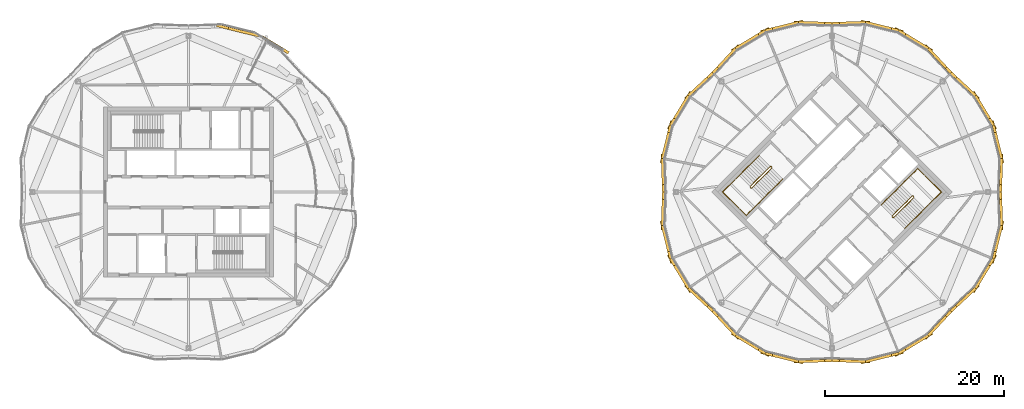
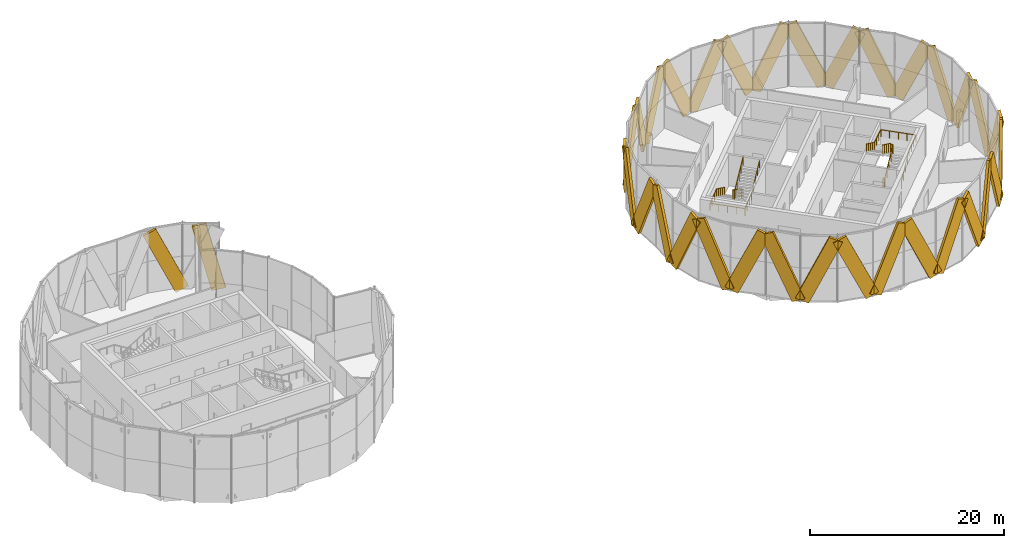
# One storey, part 23 of 24: 34 coverings, 4 railings.
"""IFC4 building model written with IfcOpenShell, lengths in metres."""

import ifcopenshell
import ifcopenshell.guid

model = None  # the IFC model being written
_history = None  # IfcOwnerHistory: only IFC2X3 demands one
_inside = {}  # id of a spatial element -> (the spatial element, [elements in it])
_under = {}  # id of a project, library or spatial element -> (it, [spatial elements below it])
_declared = {}  # id of a project -> (the project, [libraries it declares])
_typed = {}  # id of a type object -> (the type object, [elements of that type])
_made_of = {}  # id of a material, layer set ... -> (it, [elements and type objects made of it])


def new_model(schema):
    """Start an empty IFC model of exactly this schema.

    Asked for "IFC4X3", IfcOpenShell would pick the latest addendum, in which some entities
    have other attributes; the version numbers below select the first issue.
    IFC2X3 requires an IfcOwnerHistory on every rooted entity: one is made here for all.
    """
    global model, _history
    if schema == "IFC4X3":
        model = ifcopenshell.file(schema_version=(4, 3, 0, 0))
    else:
        model = ifcopenshell.file(schema=schema)
    _inside.clear()
    _under.clear()
    _declared.clear()
    _typed.clear()
    _made_of.clear()
    _history = None
    if model.schema == "IFC2X3":
        org = make("IfcOrganization", Name="unknown")
        user = make(
            "IfcPersonAndOrganization",
            ThePerson=make("IfcPerson", FamilyName="unknown"),
            TheOrganization=org,
        )
        app = make(
            "IfcApplication",
            ApplicationDeveloper=org,
            Version="unknown",
            ApplicationFullName="unknown",
            ApplicationIdentifier="unknown",
        )
        _history = make(
            "IfcOwnerHistory",
            OwningUser=user,
            OwningApplication=app,
            ChangeAction="ADDED",
            CreationDate=0,
        )
    return model


def make(cls, **values):
    """One entity of the class cls with the attributes given. An attribute that is None is left unset."""
    return model.create_entity(
        cls, **{name: value for name, value in values.items() if value is not None}
    )


def rooted(cls, **values):
    """An entity with a GlobalId (a new one), such as an element, a storey or a relation."""
    return make(cls, GlobalId=ifcopenshell.guid.new(), OwnerHistory=_history, **values)


def si_unit(unit_type, name, prefix=None):
    """IfcSIUnit, for example si_unit("LENGTHUNIT", "METRE", prefix="MILLI")."""
    return make("IfcSIUnit", UnitType=unit_type, Prefix=prefix, Name=name)


def assignment(units):
    """IfcUnitAssignment: the units of a project."""
    return None if units is None else make("IfcUnitAssignment", Units=units)


def point(xyz):
    """IfcCartesianPoint."""
    return None if xyz is None else make("IfcCartesianPoint", Coordinates=xyz)


def direction(xyz):
    """IfcDirection."""
    return None if xyz is None else make("IfcDirection", DirectionRatios=xyz)


def frame(location, z_axis=None, x_axis=None):
    """IfcAxis2Placement3D, a coordinate frame: its origin and axes. An axis left out is left unset."""
    return make(
        "IfcAxis2Placement3D",
        Location=point(location),
        Axis=direction(z_axis),
        RefDirection=direction(x_axis),
    )


def frame_2d(location, x_axis=None):
    """IfcAxis2Placement2D, a coordinate frame in the plane: its origin and x axis."""
    return make(
        "IfcAxis2Placement2D", Location=point(location), RefDirection=direction(x_axis)
    )


def origin():
    """The frame at (0, 0, 0) with its axes left unset."""
    return frame((0.0, 0.0, 0.0))


def origin_2d():
    """The frame at (0, 0) in the plane with its x axis left unset."""
    return frame_2d((0.0, 0.0))


def place(relative_to, where):
    """IfcLocalPlacement: puts the frame where relative to a parent placement (None: the world)."""
    return make(
        "IfcLocalPlacement", PlacementRelTo=relative_to, RelativePlacement=where
    )


def context(
    kind, dimensions, precision=None, world=None, true_north=None, identifier=None
):
    """IfcGeometricRepresentationContext, for example the 3D "Model" context."""
    return make(
        "IfcGeometricRepresentationContext",
        ContextIdentifier=identifier,
        ContextType=kind,
        CoordinateSpaceDimension=dimensions,
        Precision=precision,
        WorldCoordinateSystem=world,
        TrueNorth=true_north,
    )


def subcontext(parent, identifier, kind, view, scale=None):
    """IfcGeometricRepresentationSubContext, for example "Body" below "Model"."""
    return make(
        "IfcGeometricRepresentationSubContext",
        ContextIdentifier=identifier,
        ContextType=kind,
        ParentContext=parent,
        TargetScale=scale,
        TargetView=view,
    )


def project(units=None, contexts=None):
    """IfcProject with its units and contexts."""
    return rooted(
        "IfcProject",
        Name="project",
        RepresentationContexts=contexts,
        UnitsInContext=assignment(units),
    )


def spatial(cls, under=None, at=None, **own):
    """A site, building, storey or space (cls), placed at a placement, below another one or the project."""
    s = rooted(cls, ObjectPlacement=at, **own)
    if under is not None:
        _under.setdefault(under.id(), (under, []))[1].append(s)
    return s


def profile(cls, at=None, kind="AREA", **sizes):
    """A parametric profile (cls). Its sizes go by their IFC names, for example OverallWidth=200.0."""
    return make(cls, ProfileType=kind, Position=at, **sizes)


def rectangle(**sizes):
    """IfcRectangleProfileDef."""
    return profile("IfcRectangleProfileDef", **sizes)


def circle(**sizes):
    """IfcCircleProfileDef."""
    return profile("IfcCircleProfileDef", **sizes)


def extrude(swept, where, along, depth):
    """IfcExtrudedAreaSolid: the profile swept, set in the frame where, extruded along a direction by depth."""
    return make(
        "IfcExtrudedAreaSolid",
        SweptArea=swept,
        Position=where,
        ExtrudedDirection=direction(along),
        Depth=depth,
    )


def shape(context_of_items, identifier, shape_type, items):
    """IfcShapeRepresentation: the items that make up one representation, for example the "Body"."""
    return make(
        "IfcShapeRepresentation",
        ContextOfItems=context_of_items,
        RepresentationIdentifier=identifier,
        RepresentationType=shape_type,
        Items=items,
    )


def material(Name=None, Category=None):
    """IfcMaterial."""
    return make("IfcMaterial", Name=Name, Category=Category)


def material_profile(
    of_material, cross_section, Name=None, Category=None, Priority=None
):
    """IfcMaterialProfile: a cross section and its material."""
    return make(
        "IfcMaterialProfile",
        Name=Name,
        Material=of_material,
        Profile=cross_section,
        Priority=Priority,
        Category=Category,
    )


def profile_set(profiles, Name=None, composite=None):
    """IfcMaterialProfileSet."""
    return make(
        "IfcMaterialProfileSet",
        Name=Name,
        MaterialProfiles=profiles,
        CompositeProfile=composite,
    )


def made_of(thing, what):
    """Note that an element or type object is made of a material, layer set ...; save() writes the relation."""
    if what is not None:
        _made_of.setdefault(what.id(), (what, []))[1].append(thing)
    return thing


def type_object(cls, material=None, **own):
    """A type object (cls), such as IfcWallType, which elements share."""
    return made_of(rooted(cls, **own), material)


def element(
    cls,
    number,
    at=None,
    inside=None,
    cuts=None,
    type_object=None,
    material=None,
    context=None,
    identifier="Body",
    shape_type=None,
    held_by="IfcProductDefinitionShape",
    body=None,
    shapes=None,
    **own,
):
    """One element of the class cls, such as IfcWall. Its Tag is "e" and its number.

    at: its placement. inside: the storey or other place that contains it. cuts: it is an
    opening in that element (IfcRelVoidsElement). A single representation is given by context,
    identifier, shape_type and body (its items); several are given by shapes. held_by: the class
    of the entity that holds the representations. save() writes the other relations.
    """
    e = rooted(cls, Tag="e%d" % number, ObjectPlacement=at, **own)
    if body is not None:
        shapes = [shape(context, identifier, shape_type, body)]
    if shapes is not None:
        e.Representation = make(held_by, Representations=shapes)
    if inside is not None:
        _inside.setdefault(inside.id(), (inside, []))[1].append(e)
    if cuts is not None:
        rooted(
            "IfcRelVoidsElement", RelatingBuildingElement=cuts, RelatedOpeningElement=e
        )
    if type_object is not None:
        _typed.setdefault(type_object.id(), (type_object, []))[1].append(e)
    return made_of(e, material)


def aggregate(whole, parts):
    """IfcRelAggregates: a whole, such as a stair, and the parts it consists of."""
    return rooted("IfcRelAggregates", RelatingObject=whole, RelatedObjects=parts)


def save(model, path):
    """Write the relations noted so far, then the file.

    IfcRelAggregates (storeys below a building ...), IfcRelContainedInSpatialStructure (elements
    in a storey), IfcRelDefinesByType, IfcRelAssociatesMaterial and IfcRelDeclares: one each for
    every whole, place, type object, material and project.
    """
    for whole, parts in _under.values():
        aggregate(whole, parts)
    for where, things in _inside.values():
        rooted(
            "IfcRelContainedInSpatialStructure",
            RelatedElements=things,
            RelatingStructure=where,
        )
    for kind, things in _typed.values():
        rooted("IfcRelDefinesByType", RelatedObjects=things, RelatingType=kind)
    for what, things in _made_of.values():
        rooted("IfcRelAssociatesMaterial", RelatedObjects=things, RelatingMaterial=what)
    for by, libraries in _declared.values():
        rooted("IfcRelDeclares", RelatingContext=by, RelatedDefinitions=libraries)
    model.write(path)


model = new_model("IFC4")

# Units and contexts
model_context = context("Model", 3, precision=1e-05, world=origin(), true_north=direction((0.0, 1.0)))
body_context = subcontext(model_context, "Body", "Model", "MODEL_VIEW")
ifc_project = project(units=[si_unit("LENGTHUNIT", "METRE"), si_unit("AREAUNIT", "SQUARE_METRE"), si_unit("VOLUMEUNIT", "CUBIC_METRE"), si_unit("PLANEANGLEUNIT", "RADIAN"), si_unit("MASSUNIT", "GRAM", prefix="KILO")], contexts=[model_context])

# Site, building, storey
site_placement = place(None, origin())
site = spatial("IfcSite", under=ifc_project, at=site_placement, CompositionType="ELEMENT")
building_placement = place(site_placement, origin())
building = spatial("IfcBuilding", under=site, at=building_placement, Name="Ogive Gate Towers", CompositionType="ELEMENT")
storey_placement = place(building_placement, frame((0.0, 0.0, 277.199951171875)))
storey = spatial("IfcBuildingStorey", under=building, at=storey_placement, Name="L65", CompositionType="ELEMENT", Elevation=277.199951171875)

# Coverings
ifc_material_1 = material(Name="Pale metal aluminium", Category="aluminium")
ifc_material_profile = material_profile(ifc_material_1, rectangle(XDim=0.300048828125, YDim=1.5, at=origin_2d()), Name="1500 x 300 pale metal aluminium")
ifc_profile_set = profile_set([ifc_material_profile], Name="Pale metal aluminium")
covering_type = type_object("IfcCoveringType", Name="Facade fin 1500 x 300", PredefinedType="CLADDING", material=ifc_profile_set)
covering_1_placement = place(storey_placement, frame((-28.79931640625, 17.65087890625, -0.042236328125), z_axis=(-0.398530828848, 0.098152694984, 0.911887727149), x_axis=(-0.239140335318, -0.970985015345, 0.0)))
element("IfcCovering", 1, at=covering_1_placement, inside=storey, type_object=covering_type, Name="Facade fin", PredefinedType="CLADDING", context=body_context, shape_type="SweptSolid", body=[
    extrude(rectangle(XDim=0.300048828125, YDim=1.5, at=origin_2d()), origin(), (0.0, 0.0, 1.0), 8.53662109375),
])
covering_2_placement = place(storey_placement, frame((-25.41162109375, 15.94189453125, -0.165283203125), z_axis=(-0.210562957312, 0.127351399594, 0.969249638653), x_axis=(-0.517521293056, -0.855670328593, 0.0)))
element("IfcCovering", 2, at=covering_2_placement, inside=storey, type_object=covering_type, Name="Facade fin", PredefinedType="CLADDING", context=body_context, shape_type="SweptSolid", body=[
    extrude(rectangle(XDim=0.300048828125, YDim=1.5, at=origin_2d()), origin(), (0.0, 0.0, 1.0), 8.28564453125),
])
covering_3_placement = place(storey_placement, frame((54.97021484375, 3.5732421875, 0.056884765625), z_axis=(-0.014868316675, -0.408864217019, 0.912474101113), x_axis=(0.999339451171, -0.036340904406, 0.0)))
element("IfcCovering", 3, at=covering_3_placement, inside=storey, type_object=covering_type, Name="Facade fin", PredefinedType="CLADDING", context=body_context, shape_type="SweptSolid", body=[
    extrude(rectangle(XDim=0.300048828125, YDim=1.5, at=origin_2d()), origin(), (0.0, 0.0, 1.0), 8.423583984375),
])
for number, where, z_axis, x_axis, name in (
    (4, (54.934814453125, 3.91162109375, 0.06103515625), (-0.099134663728, 0.402499466565, 0.910036536554), (-0.97098246795, -0.239150678303, 0.0), "Facade fin"),
    (5, (52.15478515625, 10.623046875, 0.06103515625), (0.214503708621, -0.354699374109, 0.910042039136), (0.855695322343, 0.517479966106, 0.0), "Facade fin"),
):
    element("IfcCovering", number, at=place(storey_placement, frame(where, z_axis=z_axis, x_axis=x_axis)), inside=storey, type_object=covering_type, Name=name, PredefinedType="CLADDING", context=body_context, shape_type="SweptSolid", body=[
        extrude(rectangle(XDim=0.300048828125, YDim=1.5, at=origin_2d()), origin(), (0.0, 0.0, 1.0), 8.437255859375),
    ])
for number, where, z_axis, x_axis, name in (
    (6, (51.9404296875, 10.88720703125, 0.056884765625), (-0.299601365434, 0.278588403265, 0.912484259259), (-0.680959076527, -0.732321470459, 0.0), "Facade fin"),
    (7, (46.88720703125, 15.9404296875, 0.056884765625), (0.278588403265, -0.299601365434, 0.912484259259), (0.732321470459, 0.680959076527, 0.0), "Facade fin"),
):
    element("IfcCovering", number, at=place(storey_placement, frame(where, z_axis=z_axis, x_axis=x_axis)), inside=storey, type_object=covering_type, Name=name, PredefinedType="CLADDING", context=body_context, shape_type="SweptSolid", body=[
        extrude(rectangle(XDim=0.300048828125, YDim=1.5, at=origin_2d()), origin(), (0.0, 0.0, 1.0), 8.423583984375),
    ])
for number, where, z_axis, x_axis, name in (
    (8, (46.623046875, 16.15478515625, 0.06103515625), (-0.354699374109, 0.214503708621, 0.910042039136), (-0.517479966106, -0.855695322343, 0.0), "Facade fin"),
    (9, (39.91162109375, 18.934814453125, 0.06103515625), (0.402499466565, -0.099134663728, 0.910036536554), (0.239150678303, 0.97098246795, 0.0), "Facade fin"),
):
    element("IfcCovering", number, at=place(storey_placement, frame(where, z_axis=z_axis, x_axis=x_axis)), inside=storey, type_object=covering_type, Name=name, PredefinedType="CLADDING", context=body_context, shape_type="SweptSolid", body=[
        extrude(rectangle(XDim=0.300048828125, YDim=1.5, at=origin_2d()), origin(), (0.0, 0.0, 1.0), 8.437255859375),
    ])
for number, where, z_axis, x_axis, name in (
    (10, (39.5732421875, 18.97021484375, 0.056884765625), (-0.408864217019, -0.014868316675, 0.912474101113), (0.036340904406, -0.999339451171, 0.0), "Facade fin"),
    (11, (32.4267578125, 18.97021484375, 0.056884765625), (0.408864217019, -0.014868316675, 0.912474101113), (0.036340904406, 0.999339451171, 0.0), "Facade fin"),
):
    element("IfcCovering", number, at=place(storey_placement, frame(where, z_axis=z_axis, x_axis=x_axis)), inside=storey, type_object=covering_type, Name=name, PredefinedType="CLADDING", context=body_context, shape_type="SweptSolid", body=[
        extrude(rectangle(XDim=0.300048828125, YDim=1.5, at=origin_2d()), origin(), (0.0, 0.0, 1.0), 8.423583984375),
    ])
for number, where, z_axis, x_axis, name in (
    (12, (32.08837890625, 18.934814453125, 0.06103515625), (-0.402499466565, -0.099134663728, 0.910036536554), (0.239150678303, -0.97098246795, 0.0), "Facade fin"),
    (13, (25.376953125, 16.15478515625, 0.06103515625), (0.354699374109, 0.214503708621, 0.910042039136), (-0.517479966106, 0.855695322343, 0.0), "Facade fin"),
):
    element("IfcCovering", number, at=place(storey_placement, frame(where, z_axis=z_axis, x_axis=x_axis)), inside=storey, type_object=covering_type, Name=name, PredefinedType="CLADDING", context=body_context, shape_type="SweptSolid", body=[
        extrude(rectangle(XDim=0.300048828125, YDim=1.5, at=origin_2d()), origin(), (0.0, 0.0, 1.0), 8.437255859375),
    ])
for number, where, z_axis, x_axis, name in (
    (14, (25.11279296875, 15.9404296875, 0.056884765625), (-0.278588403265, -0.299601365434, 0.912484259259), (0.732321470459, -0.680959076527, 0.0), "Facade fin"),
    (15, (20.0595703125, 10.88720703125, 0.056884765625), (0.299601365434, 0.278588403265, 0.912484259259), (-0.680959076527, 0.732321470459, 0.0), "Facade fin"),
):
    element("IfcCovering", number, at=place(storey_placement, frame(where, z_axis=z_axis, x_axis=x_axis)), inside=storey, type_object=covering_type, Name=name, PredefinedType="CLADDING", context=body_context, shape_type="SweptSolid", body=[
        extrude(rectangle(XDim=0.300048828125, YDim=1.5, at=origin_2d()), origin(), (0.0, 0.0, 1.0), 8.423583984375),
    ])
for number, where, z_axis, x_axis, name in (
    (16, (19.84521484375, 10.623046875, 0.06103515625), (-0.214503708621, -0.354699374109, 0.910042039136), (0.855695322343, -0.517479966106, 0.0), "Facade fin"),
    (17, (17.065185546875, 3.91162109375, 0.06103515625), (0.099134663728, 0.402499466565, 0.910036536554), (-0.97098246795, 0.239150678303, 0.0), "Facade fin"),
):
    element("IfcCovering", number, at=place(storey_placement, frame(where, z_axis=z_axis, x_axis=x_axis)), inside=storey, type_object=covering_type, Name=name, PredefinedType="CLADDING", context=body_context, shape_type="SweptSolid", body=[
        extrude(rectangle(XDim=0.300048828125, YDim=1.5, at=origin_2d()), origin(), (0.0, 0.0, 1.0), 8.437255859375),
    ])
for number, where, z_axis, x_axis, name in (
    (18, (17.02978515625, 3.5732421875, 0.056884765625), (0.014868316675, -0.408864217019, 0.912474101113), (0.999339451171, 0.036340904406, 0.0), "Facade fin"),
    (19, (17.02978515625, -3.5732421875, 0.056884765625), (0.014868316675, 0.408864217019, 0.912474101113), (-0.999339451171, 0.036340904406, 0.0), "Facade fin"),
):
    element("IfcCovering", number, at=place(storey_placement, frame(where, z_axis=z_axis, x_axis=x_axis)), inside=storey, type_object=covering_type, Name=name, PredefinedType="CLADDING", context=body_context, shape_type="SweptSolid", body=[
        extrude(rectangle(XDim=0.300048828125, YDim=1.5, at=origin_2d()), origin(), (0.0, 0.0, 1.0), 8.423583984375),
    ])
for number, where, z_axis, x_axis, name in (
    (20, (17.065185546875, -3.91162109375, 0.06103515625), (0.099134663728, -0.402499466565, 0.910036536554), (0.97098246795, 0.239150678303, 0.0), "Facade fin"),
    (21, (19.84521484375, -10.623046875, 0.06103515625), (-0.214503708621, 0.354699374109, 0.910042039136), (-0.855695322343, -0.517479966106, 0.0), "Facade fin"),
):
    element("IfcCovering", number, at=place(storey_placement, frame(where, z_axis=z_axis, x_axis=x_axis)), inside=storey, type_object=covering_type, Name=name, PredefinedType="CLADDING", context=body_context, shape_type="SweptSolid", body=[
        extrude(rectangle(XDim=0.300048828125, YDim=1.5, at=origin_2d()), origin(), (0.0, 0.0, 1.0), 8.437255859375),
    ])
for number, where, z_axis, x_axis, name in (
    (22, (20.0595703125, -10.88720703125, 0.056884765625), (0.299601365434, -0.278588403265, 0.912484259259), (0.680959076527, 0.732321470459, 0.0), "Facade fin"),
    (23, (25.11279296875, -15.9404296875, 0.056884765625), (-0.278588403265, 0.299601365434, 0.912484259259), (-0.732321470459, -0.680959076527, 0.0), "Facade fin"),
):
    element("IfcCovering", number, at=place(storey_placement, frame(where, z_axis=z_axis, x_axis=x_axis)), inside=storey, type_object=covering_type, Name=name, PredefinedType="CLADDING", context=body_context, shape_type="SweptSolid", body=[
        extrude(rectangle(XDim=0.300048828125, YDim=1.5, at=origin_2d()), origin(), (0.0, 0.0, 1.0), 8.423583984375),
    ])
for number, where, z_axis, x_axis, name in (
    (24, (25.376953125, -16.15478515625, 0.06103515625), (0.354699374109, -0.214503708621, 0.910042039136), (0.517479966106, 0.855695322343, 0.0), "Facade fin"),
    (25, (32.08837890625, -18.934814453125, 0.06103515625), (-0.402499466565, 0.099134663728, 0.910036536554), (-0.239150678303, -0.97098246795, 0.0), "Facade fin"),
):
    element("IfcCovering", number, at=place(storey_placement, frame(where, z_axis=z_axis, x_axis=x_axis)), inside=storey, type_object=covering_type, Name=name, PredefinedType="CLADDING", context=body_context, shape_type="SweptSolid", body=[
        extrude(rectangle(XDim=0.300048828125, YDim=1.5, at=origin_2d()), origin(), (0.0, 0.0, 1.0), 8.437255859375),
    ])
for number, where, z_axis, x_axis, name in (
    (26, (32.4267578125, -18.97021484375, 0.056884765625), (0.408864217019, 0.014868316675, 0.912474101113), (-0.036340904406, 0.999339451171, 0.0), "Facade fin"),
    (27, (39.5732421875, -18.97021484375, 0.056884765625), (-0.408864217019, 0.014868316675, 0.912474101113), (-0.036340904406, -0.999339451171, 0.0), "Facade fin"),
):
    element("IfcCovering", number, at=place(storey_placement, frame(where, z_axis=z_axis, x_axis=x_axis)), inside=storey, type_object=covering_type, Name=name, PredefinedType="CLADDING", context=body_context, shape_type="SweptSolid", body=[
        extrude(rectangle(XDim=0.300048828125, YDim=1.5, at=origin_2d()), origin(), (0.0, 0.0, 1.0), 8.423583984375),
    ])
for number, where, z_axis, x_axis, name in (
    (28, (39.91162109375, -18.934814453125, 0.06103515625), (0.402499466565, 0.099134663728, 0.910036536554), (-0.239150678303, 0.97098246795, 0.0), "Facade fin"),
    (29, (46.623046875, -16.15478515625, 0.06103515625), (-0.354699374109, -0.214503708621, 0.910042039136), (0.517479966106, -0.855695322343, 0.0), "Facade fin"),
):
    element("IfcCovering", number, at=place(storey_placement, frame(where, z_axis=z_axis, x_axis=x_axis)), inside=storey, type_object=covering_type, Name=name, PredefinedType="CLADDING", context=body_context, shape_type="SweptSolid", body=[
        extrude(rectangle(XDim=0.300048828125, YDim=1.5, at=origin_2d()), origin(), (0.0, 0.0, 1.0), 8.437255859375),
    ])
for number, where, z_axis, x_axis, name in (
    (30, (46.88720703125, -15.9404296875, 0.056884765625), (0.278588403265, 0.299601365434, 0.912484259259), (-0.732321470459, 0.680959076527, 0.0), "Facade fin"),
    (31, (51.9404296875, -10.88720703125, 0.056884765625), (-0.299601365434, -0.278588403265, 0.912484259259), (0.680959076527, -0.732321470459, 0.0), "Facade fin"),
):
    element("IfcCovering", number, at=place(storey_placement, frame(where, z_axis=z_axis, x_axis=x_axis)), inside=storey, type_object=covering_type, Name=name, PredefinedType="CLADDING", context=body_context, shape_type="SweptSolid", body=[
        extrude(rectangle(XDim=0.300048828125, YDim=1.5, at=origin_2d()), origin(), (0.0, 0.0, 1.0), 8.423583984375),
    ])
for number, where, z_axis, x_axis, name in (
    (32, (52.15478515625, -10.623046875, 0.06103515625), (0.214503708621, 0.354699374109, 0.910042039136), (-0.855695322343, 0.517479966106, 0.0), "Facade fin"),
    (33, (54.934814453125, -3.91162109375, 0.06103515625), (-0.099134663728, -0.402499466565, 0.910036536554), (0.97098246795, -0.239150678303, 0.0), "Facade fin"),
):
    element("IfcCovering", number, at=place(storey_placement, frame(where, z_axis=z_axis, x_axis=x_axis)), inside=storey, type_object=covering_type, Name=name, PredefinedType="CLADDING", context=body_context, shape_type="SweptSolid", body=[
        extrude(rectangle(XDim=0.300048828125, YDim=1.5, at=origin_2d()), origin(), (0.0, 0.0, 1.0), 8.437255859375),
    ])
covering_4_placement = place(storey_placement, frame((54.97021484375, -3.5732421875, 0.056884765625), z_axis=(-0.014868316675, 0.408864217019, 0.912474101113), x_axis=(-0.999339451171, -0.036340904406, 0.0)))
element("IfcCovering", 34, at=covering_4_placement, inside=storey, type_object=covering_type, Name="Facade fin", PredefinedType="CLADDING", context=body_context, shape_type="SweptSolid", body=[
    extrude(rectangle(XDim=0.300048828125, YDim=1.5, at=origin_2d()), origin(), (0.0, 0.0, 1.0), 8.423583984375),
])

# Railings
ifc_material_2 = material(Name="Stainless steel", Category="steel")
railing_type_1 = type_object("IfcRailingType", Name="Stair guard 1100", PredefinedType="GUARDRAIL", material=ifc_material_2)
railing_1_placement = place(storey_placement, frame((29.15869140625, 2.8603515625, 0.0)))
element("IfcRailing", 35, at=railing_1_placement, inside=storey, type_object=railing_type_1, Name="L65 ST1 stair guard 1", PredefinedType="GUARDRAIL", context=body_context, shape_type="SweptSolid", body=[
    extrude(circle(Radius=0.02392578125, at=origin_2d()), frame((0.0, 0.0, 1.076171875), z_axis=(0.707106781187, -0.707106781187, 0.0), x_axis=(0.707106781187, 0.707106781187, 0.0)), (0.0, 0.0, 1.0), 0.14501953125),
    extrude(circle(Radius=0.02392578125, at=origin_2d()), frame((0.1025390625, -0.1025390625, 1.076171875), z_axis=(-0.649075284728, 0.384501579105, 0.65639912433), x_axis=(-0.509669330572, -0.860370369942, 0.0)), (0.0, 0.0, 1.0), 0.2666015625),
    extrude(circle(Radius=0.02392578125, at=origin_2d()), frame((-0.070556640625, 0.0, 1.2509765625), z_axis=(-0.604012965068, -0.604012965068, 0.519939108031), x_axis=(0.707106781187, -0.707106781187, 0.0)), (0.0, 0.0, 1.0), 3.702392578125),
    extrude(circle(Radius=0.02392578125, at=origin_2d()), frame((-2.306884765625, -2.236328125, 3.17626953125), z_axis=(0.0, -1.0, 0.0), x_axis=(1.0, 0.0, 0.0)), (0.0, 0.0, 1.0), 0.07080078125),
    extrude(circle(Radius=0.02392578125, at=origin_2d()), frame((-2.306884765625, -2.30712890625, 3.17626953125), z_axis=(0.707106781187, -0.707106781187, 0.0), x_axis=(0.707106781187, 0.707106781187, 0.0)), (0.0, 0.0, 1.0), 0.14501953125),
    extrude(circle(Radius=0.02392578125, at=origin_2d()), frame((-2.204345703125, -2.40966796875, 3.17626953125), z_axis=(0.374954686889, 0.0, 0.927043139654), x_axis=(0.0, 1.0, 0.0)), (0.0, 0.0, 1.0), 0.188720703125),
    extrude(circle(Radius=0.02392578125, at=origin_2d()), frame((-2.133544921875, -2.40966796875, 3.35107421875), z_axis=(0.603991787895, 0.604057733063, 0.519911699505), x_axis=(-0.707145379772, 0.707068180494, 0.0)), (0.0, 0.0, 1.0), 3.7021484375),
    extrude(circle(Radius=0.02099609375, at=origin_2d()), origin(), (0.0, 0.0, 1.0), 1.052001953125),
    extrude(circle(Radius=0.02099609375, at=origin_2d()), frame((0.1025390625, -0.1025390625, 0.0)), (0.0, 0.0, 1.0), 1.052001953125),
    extrude(circle(Radius=0.02099609375, at=origin_2d()), frame((-0.070556640625, 0.0, 0.175048828125)), (0.0, 0.0, 1.0), 1.052001953125),
    extrude(circle(Radius=0.02099609375, at=origin_2d()), frame((-0.629638671875, -0.55908203125, 0.65625)), (0.0, 0.0, 1.0), 1.052001953125),
    extrude(circle(Radius=0.02099609375, at=origin_2d()), frame((-1.188720703125, -1.1181640625, 1.1376953125)), (0.0, 0.0, 1.0), 1.052001953125),
    extrude(circle(Radius=0.02099609375, at=origin_2d()), frame((-1.747802734375, -1.67724609375, 1.618896484375)), (0.0, 0.0, 1.0), 1.052001953125),
    extrude(circle(Radius=0.02099609375, at=origin_2d()), frame((-2.306884765625, -2.236328125, 2.10009765625)), (0.0, 0.0, 1.0), 1.052001953125),
    extrude(circle(Radius=0.02099609375, at=origin_2d()), frame((-2.306884765625, -2.30712890625, 2.10009765625)), (0.0, 0.0, 1.0), 1.052001953125),
    extrude(circle(Radius=0.02099609375, at=origin_2d()), frame((-2.204345703125, -2.40966796875, 2.10009765625)), (0.0, 0.0, 1.0), 1.052001953125),
    extrude(circle(Radius=0.02099609375, at=origin_2d()), frame((-2.133544921875, -2.40966796875, 2.275146484375)), (0.0, 0.0, 1.0), 1.052001953125),
    extrude(circle(Radius=0.02099609375, at=origin_2d()), frame((-1.574462890625, -1.8505859375, 2.75634765625)), (0.0, 0.0, 1.0), 1.052001953125),
    extrude(circle(Radius=0.02099609375, at=origin_2d()), frame((-1.015625, -1.29150390625, 3.237548828125)), (0.0, 0.0, 1.0), 1.052001953125),
    extrude(circle(Radius=0.02099609375, at=origin_2d()), frame((-0.45654296875, -0.732421875, 3.71875)), (0.0, 0.0, 1.0), 1.052001953125),
    extrude(circle(Radius=0.02099609375, at=origin_2d()), frame((0.1025390625, -0.17333984375, 4.199951171875)), (0.0, 0.0, 1.0), 1.052001953125),
])
railing_2_placement = place(storey_placement, frame((42.84130859375, -2.8603515625, 0.0)))
element("IfcRailing", 36, at=railing_2_placement, inside=storey, type_object=railing_type_1, Name="L65 ST2 stair guard 1", PredefinedType="GUARDRAIL", context=body_context, shape_type="SweptSolid", body=[
    extrude(circle(Radius=0.02392578125, at=origin_2d()), frame((0.0, 0.0, 1.076171875), z_axis=(-0.707106781187, 0.707106781187, 0.0), x_axis=(-0.707106781187, -0.707106781187, 0.0)), (0.0, 0.0, 1.0), 0.14501953125),
    extrude(circle(Radius=0.02392578125, at=origin_2d()), frame((-0.1025390625, 0.1025390625, 1.076171875), z_axis=(0.649075284728, -0.384501579105, 0.65639912433), x_axis=(0.509669330572, 0.860370369942, 0.0)), (0.0, 0.0, 1.0), 0.2666015625),
    extrude(circle(Radius=0.02392578125, at=origin_2d()), frame((0.070556640625, 0.0, 1.2509765625), z_axis=(0.604012965068, 0.604012965068, 0.519939108031), x_axis=(-0.707106781187, 0.707106781187, 0.0)), (0.0, 0.0, 1.0), 3.702392578125),
    extrude(circle(Radius=0.02392578125, at=origin_2d()), frame((2.306884765625, 2.236328125, 3.17626953125), z_axis=(0.0, 1.0, 0.0), x_axis=(-1.0, 0.0, 0.0)), (0.0, 0.0, 1.0), 0.07080078125),
    extrude(circle(Radius=0.02392578125, at=origin_2d()), frame((2.306884765625, 2.30712890625, 3.17626953125), z_axis=(-0.707106781187, 0.707106781187, 0.0), x_axis=(-0.707106781187, -0.707106781187, 0.0)), (0.0, 0.0, 1.0), 0.14501953125),
    extrude(circle(Radius=0.02392578125, at=origin_2d()), frame((2.204345703125, 2.40966796875, 3.17626953125), z_axis=(-0.374954686889, 0.0, 0.927043139654), x_axis=(0.0, -1.0, 0.0)), (0.0, 0.0, 1.0), 0.188720703125),
    extrude(circle(Radius=0.02392578125, at=origin_2d()), frame((2.133544921875, 2.40966796875, 3.35107421875), z_axis=(-0.603991787895, -0.604057733063, 0.519911699505), x_axis=(0.707145379772, -0.707068180494, 0.0)), (0.0, 0.0, 1.0), 3.7021484375),
    extrude(circle(Radius=0.02099609375, at=origin_2d()), origin(), (0.0, 0.0, 1.0), 1.052001953125),
    extrude(circle(Radius=0.02099609375, at=origin_2d()), frame((-0.1025390625, 0.1025390625, 0.0)), (0.0, 0.0, 1.0), 1.052001953125),
    extrude(circle(Radius=0.02099609375, at=origin_2d()), frame((0.070556640625, 0.0, 0.175048828125)), (0.0, 0.0, 1.0), 1.052001953125),
    extrude(circle(Radius=0.02099609375, at=origin_2d()), frame((0.629638671875, 0.55908203125, 0.65625)), (0.0, 0.0, 1.0), 1.052001953125),
    extrude(circle(Radius=0.02099609375, at=origin_2d()), frame((1.188720703125, 1.1181640625, 1.1376953125)), (0.0, 0.0, 1.0), 1.052001953125),
    extrude(circle(Radius=0.02099609375, at=origin_2d()), frame((1.747802734375, 1.67724609375, 1.618896484375)), (0.0, 0.0, 1.0), 1.052001953125),
    extrude(circle(Radius=0.02099609375, at=origin_2d()), frame((2.306884765625, 2.236328125, 2.10009765625)), (0.0, 0.0, 1.0), 1.052001953125),
    extrude(circle(Radius=0.02099609375, at=origin_2d()), frame((2.306884765625, 2.30712890625, 2.10009765625)), (0.0, 0.0, 1.0), 1.052001953125),
    extrude(circle(Radius=0.02099609375, at=origin_2d()), frame((2.204345703125, 2.40966796875, 2.10009765625)), (0.0, 0.0, 1.0), 1.052001953125),
    extrude(circle(Radius=0.02099609375, at=origin_2d()), frame((2.133544921875, 2.40966796875, 2.275146484375)), (0.0, 0.0, 1.0), 1.052001953125),
    extrude(circle(Radius=0.02099609375, at=origin_2d()), frame((1.574462890625, 1.8505859375, 2.75634765625)), (0.0, 0.0, 1.0), 1.052001953125),
    extrude(circle(Radius=0.02099609375, at=origin_2d()), frame((1.015625, 1.29150390625, 3.237548828125)), (0.0, 0.0, 1.0), 1.052001953125),
    extrude(circle(Radius=0.02099609375, at=origin_2d()), frame((0.45654296875, 0.732421875, 3.71875)), (0.0, 0.0, 1.0), 1.052001953125),
    extrude(circle(Radius=0.02099609375, at=origin_2d()), frame((-0.1025390625, 0.17333984375, 4.199951171875)), (0.0, 0.0, 1.0), 1.052001953125),
])
railing_type_2 = type_object("IfcRailingType", Name="Stair handrail 900", PredefinedType="HANDRAIL", material=ifc_material_2)
railing_3_placement = place(storey_placement, frame((27.857666015625, 4.090576171875, 0.175048828125)))
element("IfcRailing", 37, at=railing_3_placement, inside=storey, type_object=railing_type_2, Name="L65 ST1 stair handrail 1", PredefinedType="HANDRAIL", context=body_context, shape_type="SweptSolid", body=[
    extrude(circle(Radius=0.02392578125, at=origin_2d()), frame((0.0, 0.0, 0.8759765625), z_axis=(-0.604037022294, -0.603971079388, 0.51995981668), x_axis=(0.707068180494, -0.707145379772, 0.0)), (0.0, 0.0, 1.0), 3.702392578125),
    extrude(circle(Radius=0.02392578125, at=origin_2d()), frame((-2.236328125, -2.236083984375, 2.80078125), z_axis=(-0.70706023191, -0.707153327399, 0.0), x_axis=(0.707153327399, -0.70706023191, 0.0)), (0.0, 0.0, 1.0), 2.62255859375),
    extrude(circle(Radius=0.02392578125, at=origin_2d()), frame((-4.090576171875, -4.090576171875, 2.80078125), z_axis=(0.707106781187, -0.707106781187, 0.0), x_axis=(0.707106781187, 0.707106781187, 0.0)), (0.0, 0.0, 1.0), 3.72509765625),
    extrude(circle(Radius=0.02392578125, at=origin_2d()), frame((-1.45654296875, -6.724609375, 2.80078125), z_axis=(0.705490325719, 0.705583214505, 0.066601259189), x_axis=(-0.707153327399, 0.70706023191, 0.0)), (0.0, 0.0, 1.0), 2.62841796875),
    extrude(circle(Radius=0.02392578125, at=origin_2d()), frame((0.397705078125, -4.8701171875, 2.97607421875), z_axis=(0.604057733063, 0.603991787895, 0.519911699505), x_axis=(-0.707068180494, 0.707145379772, 0.0)), (0.0, 0.0, 1.0), 3.7021484375),
    extrude(circle(Radius=0.02099609375, at=origin_2d()), origin(), (0.0, 0.0, 1.0), 0.851806640625),
    extrude(circle(Radius=0.02099609375, at=origin_2d()), frame((-0.55908203125, -0.55908203125, 0.481201171875)), (0.0, 0.0, 1.0), 0.851806640625),
    extrude(circle(Radius=0.02099609375, at=origin_2d()), frame((-1.1181640625, -1.1181640625, 0.96240234375)), (0.0, 0.0, 1.0), 0.851806640625),
    extrude(circle(Radius=0.02099609375, at=origin_2d()), frame((-1.67724609375, -1.677001953125, 1.44384765625)), (0.0, 0.0, 1.0), 0.851806640625),
    extrude(circle(Radius=0.02099609375, at=origin_2d()), frame((-2.236328125, -2.236083984375, 1.925048828125)), (0.0, 0.0, 1.0), 0.851806640625),
    extrude(circle(Radius=0.02099609375, at=origin_2d()), frame((-2.8544921875, -2.854248046875, 1.925048828125)), (0.0, 0.0, 1.0), 0.851806640625),
    extrude(circle(Radius=0.02099609375, at=origin_2d()), frame((-3.472412109375, -3.472412109375, 1.925048828125)), (0.0, 0.0, 1.0), 0.851806640625),
    extrude(circle(Radius=0.02099609375, at=origin_2d()), frame((-4.090576171875, -4.090576171875, 1.925048828125)), (0.0, 0.0, 1.0), 0.851806640625),
    extrude(circle(Radius=0.02099609375, at=origin_2d()), frame((-3.43212890625, -4.7490234375, 1.925048828125)), (0.0, 0.0, 1.0), 0.851806640625),
    extrude(circle(Radius=0.02099609375, at=origin_2d()), frame((-2.7734375, -5.40771484375, 1.925048828125)), (0.0, 0.0, 1.0), 0.851806640625),
    extrude(circle(Radius=0.02099609375, at=origin_2d()), frame((-2.114990234375, -6.066162109375, 1.925048828125)), (0.0, 0.0, 1.0), 0.851806640625),
    extrude(circle(Radius=0.02099609375, at=origin_2d()), frame((-1.45654296875, -6.724609375, 1.925048828125)), (0.0, 0.0, 1.0), 0.851806640625),
    extrude(circle(Radius=0.02099609375, at=origin_2d()), frame((-0.83837890625, -6.1064453125, 1.9833984375)), (0.0, 0.0, 1.0), 0.851806640625),
    extrude(circle(Radius=0.02099609375, at=origin_2d()), frame((-0.220458984375, -5.48828125, 2.041748046875)), (0.0, 0.0, 1.0), 0.851806640625),
    extrude(circle(Radius=0.02099609375, at=origin_2d()), frame((0.397705078125, -4.8701171875, 2.10009765625)), (0.0, 0.0, 1.0), 0.851806640625),
    extrude(circle(Radius=0.02099609375, at=origin_2d()), frame((0.956787109375, -4.31103515625, 2.581298828125)), (0.0, 0.0, 1.0), 0.851806640625),
    extrude(circle(Radius=0.02099609375, at=origin_2d()), frame((1.515869140625, -3.751953125, 3.0625)), (0.0, 0.0, 1.0), 0.851806640625),
    extrude(circle(Radius=0.02099609375, at=origin_2d()), frame((2.074951171875, -3.193115234375, 3.543701171875)), (0.0, 0.0, 1.0), 0.851806640625),
    extrude(circle(Radius=0.02099609375, at=origin_2d()), frame((2.634033203125, -2.634033203125, 4.02490234375)), (0.0, 0.0, 1.0), 0.851806640625),
])
railing_4_placement = place(storey_placement, frame((44.142333984375, -4.090576171875, 0.175048828125)))
element("IfcRailing", 38, at=railing_4_placement, inside=storey, type_object=railing_type_2, Name="L65 ST2 stair handrail 1", PredefinedType="HANDRAIL", context=body_context, shape_type="SweptSolid", body=[
    extrude(circle(Radius=0.02392578125, at=origin_2d()), frame((0.0, 0.0, 0.8759765625), z_axis=(0.604037022294, 0.603971079388, 0.51995981668), x_axis=(-0.707068180494, 0.707145379772, 0.0)), (0.0, 0.0, 1.0), 3.702392578125),
    extrude(circle(Radius=0.02392578125, at=origin_2d()), frame((2.236328125, 2.236083984375, 2.80078125), z_axis=(0.70706023191, 0.707153327399, 0.0), x_axis=(-0.707153327399, 0.70706023191, 0.0)), (0.0, 0.0, 1.0), 2.62255859375),
    extrude(circle(Radius=0.02392578125, at=origin_2d()), frame((4.090576171875, 4.090576171875, 2.80078125), z_axis=(-0.707106781187, 0.707106781187, 0.0), x_axis=(-0.707106781187, -0.707106781187, 0.0)), (0.0, 0.0, 1.0), 3.72509765625),
    extrude(circle(Radius=0.02392578125, at=origin_2d()), frame((1.45654296875, 6.724609375, 2.80078125), z_axis=(-0.705490325719, -0.705583214505, 0.066601259189), x_axis=(0.707153327399, -0.70706023191, 0.0)), (0.0, 0.0, 1.0), 2.62841796875),
    extrude(circle(Radius=0.02392578125, at=origin_2d()), frame((-0.397705078125, 4.8701171875, 2.97607421875), z_axis=(-0.604057733063, -0.603991787895, 0.519911699505), x_axis=(0.707068180494, -0.707145379772, 0.0)), (0.0, 0.0, 1.0), 3.7021484375),
    extrude(circle(Radius=0.02099609375, at=origin_2d()), origin(), (0.0, 0.0, 1.0), 0.851806640625),
    extrude(circle(Radius=0.02099609375, at=origin_2d()), frame((0.55908203125, 0.55908203125, 0.481201171875)), (0.0, 0.0, 1.0), 0.851806640625),
    extrude(circle(Radius=0.02099609375, at=origin_2d()), frame((1.1181640625, 1.1181640625, 0.96240234375)), (0.0, 0.0, 1.0), 0.851806640625),
    extrude(circle(Radius=0.02099609375, at=origin_2d()), frame((1.67724609375, 1.677001953125, 1.44384765625)), (0.0, 0.0, 1.0), 0.851806640625),
    extrude(circle(Radius=0.02099609375, at=origin_2d()), frame((2.236328125, 2.236083984375, 1.925048828125)), (0.0, 0.0, 1.0), 0.851806640625),
    extrude(circle(Radius=0.02099609375, at=origin_2d()), frame((2.8544921875, 2.854248046875, 1.925048828125)), (0.0, 0.0, 1.0), 0.851806640625),
    extrude(circle(Radius=0.02099609375, at=origin_2d()), frame((3.472412109375, 3.472412109375, 1.925048828125)), (0.0, 0.0, 1.0), 0.851806640625),
    extrude(circle(Radius=0.02099609375, at=origin_2d()), frame((4.090576171875, 4.090576171875, 1.925048828125)), (0.0, 0.0, 1.0), 0.851806640625),
    extrude(circle(Radius=0.02099609375, at=origin_2d()), frame((3.43212890625, 4.7490234375, 1.925048828125)), (0.0, 0.0, 1.0), 0.851806640625),
    extrude(circle(Radius=0.02099609375, at=origin_2d()), frame((2.7734375, 5.40771484375, 1.925048828125)), (0.0, 0.0, 1.0), 0.851806640625),
    extrude(circle(Radius=0.02099609375, at=origin_2d()), frame((2.114990234375, 6.066162109375, 1.925048828125)), (0.0, 0.0, 1.0), 0.851806640625),
    extrude(circle(Radius=0.02099609375, at=origin_2d()), frame((1.45654296875, 6.724609375, 1.925048828125)), (0.0, 0.0, 1.0), 0.851806640625),
    extrude(circle(Radius=0.02099609375, at=origin_2d()), frame((0.83837890625, 6.1064453125, 1.9833984375)), (0.0, 0.0, 1.0), 0.851806640625),
    extrude(circle(Radius=0.02099609375, at=origin_2d()), frame((0.220458984375, 5.48828125, 2.041748046875)), (0.0, 0.0, 1.0), 0.851806640625),
    extrude(circle(Radius=0.02099609375, at=origin_2d()), frame((-0.397705078125, 4.8701171875, 2.10009765625)), (0.0, 0.0, 1.0), 0.851806640625),
    extrude(circle(Radius=0.02099609375, at=origin_2d()), frame((-0.956787109375, 4.31103515625, 2.581298828125)), (0.0, 0.0, 1.0), 0.851806640625),
    extrude(circle(Radius=0.02099609375, at=origin_2d()), frame((-1.515869140625, 3.751953125, 3.0625)), (0.0, 0.0, 1.0), 0.851806640625),
    extrude(circle(Radius=0.02099609375, at=origin_2d()), frame((-2.074951171875, 3.193115234375, 3.543701171875)), (0.0, 0.0, 1.0), 0.851806640625),
    extrude(circle(Radius=0.02099609375, at=origin_2d()), frame((-2.634033203125, 2.634033203125, 4.02490234375)), (0.0, 0.0, 1.0), 0.851806640625),
])

save(model, "model.ifc")
